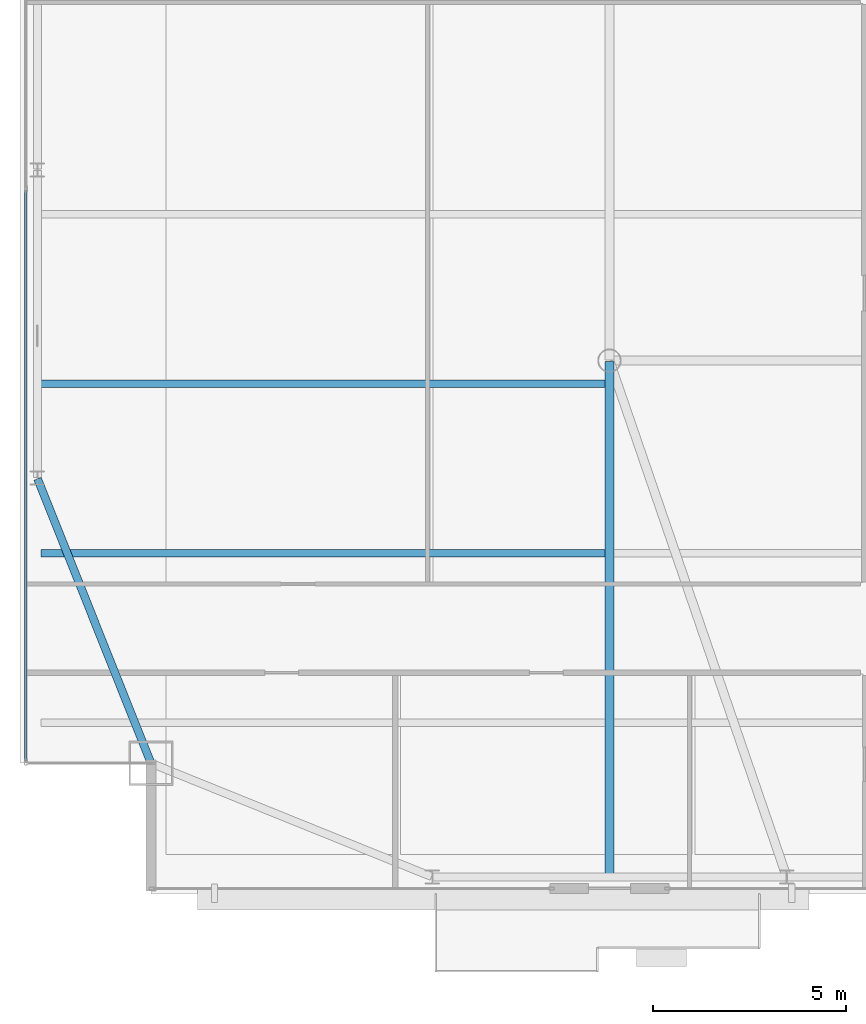
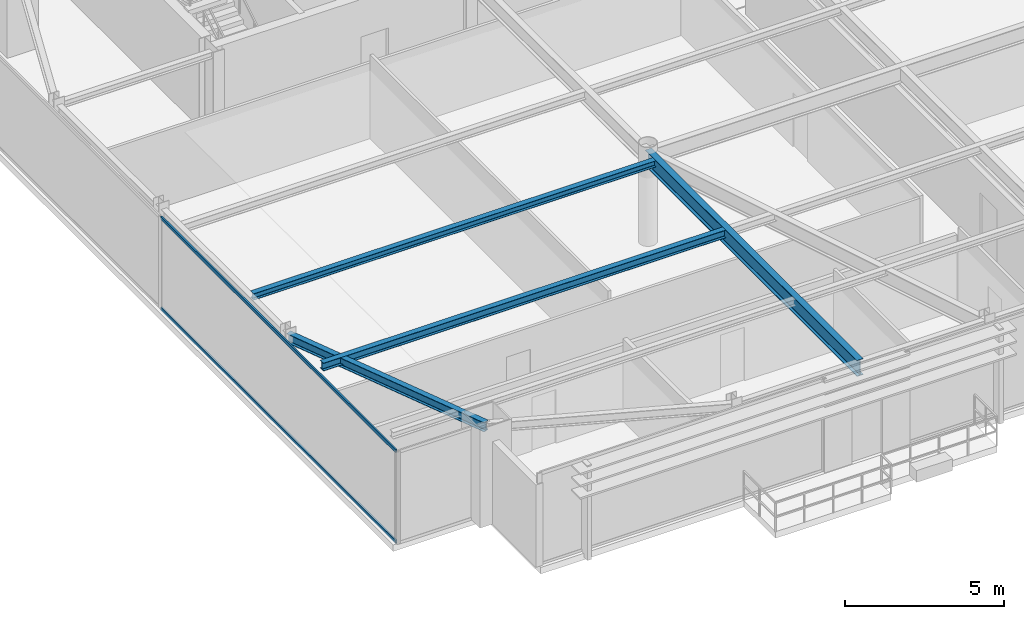
# One storey, part 7 of 30: 4 beams, 2 members, 1 element without a shape of its own.
"""IFC4 building model written with IfcOpenShell, lengths in metres."""

import ifcopenshell
import ifcopenshell.guid

model = None  # the IFC model being written
_history = None  # IfcOwnerHistory: only IFC2X3 demands one
_inside = {}  # id of a spatial element -> (the spatial element, [elements in it])
_under = {}  # id of a project, library or spatial element -> (it, [spatial elements below it])
_declared = {}  # id of a project -> (the project, [libraries it declares])
_typed = {}  # id of a type object -> (the type object, [elements of that type])
_made_of = {}  # id of a material, layer set ... -> (it, [elements and type objects made of it])


def new_model(schema):
    """Start an empty IFC model of exactly this schema.

    Asked for "IFC4X3", IfcOpenShell would pick the latest addendum, in which some entities
    have other attributes; the version numbers below select the first issue.
    IFC2X3 requires an IfcOwnerHistory on every rooted entity: one is made here for all.
    """
    global model, _history
    if schema == "IFC4X3":
        model = ifcopenshell.file(schema_version=(4, 3, 0, 0))
    else:
        model = ifcopenshell.file(schema=schema)
    _inside.clear()
    _under.clear()
    _declared.clear()
    _typed.clear()
    _made_of.clear()
    _history = None
    if model.schema == "IFC2X3":
        org = make("IfcOrganization", Name="unknown")
        user = make(
            "IfcPersonAndOrganization",
            ThePerson=make("IfcPerson", FamilyName="unknown"),
            TheOrganization=org,
        )
        app = make(
            "IfcApplication",
            ApplicationDeveloper=org,
            Version="unknown",
            ApplicationFullName="unknown",
            ApplicationIdentifier="unknown",
        )
        _history = make(
            "IfcOwnerHistory",
            OwningUser=user,
            OwningApplication=app,
            ChangeAction="ADDED",
            CreationDate=0,
        )
    return model


def make(cls, **values):
    """One entity of the class cls with the attributes given. An attribute that is None is left unset."""
    return model.create_entity(
        cls, **{name: value for name, value in values.items() if value is not None}
    )


def rooted(cls, **values):
    """An entity with a GlobalId (a new one), such as an element, a storey or a relation."""
    return make(cls, GlobalId=ifcopenshell.guid.new(), OwnerHistory=_history, **values)


def si_unit(unit_type, name, prefix=None):
    """IfcSIUnit, for example si_unit("LENGTHUNIT", "METRE", prefix="MILLI")."""
    return make("IfcSIUnit", UnitType=unit_type, Prefix=prefix, Name=name)


def assignment(units):
    """IfcUnitAssignment: the units of a project."""
    return None if units is None else make("IfcUnitAssignment", Units=units)


def point(xyz):
    """IfcCartesianPoint."""
    return None if xyz is None else make("IfcCartesianPoint", Coordinates=xyz)


def direction(xyz):
    """IfcDirection."""
    return None if xyz is None else make("IfcDirection", DirectionRatios=xyz)


def frame(location, z_axis=None, x_axis=None):
    """IfcAxis2Placement3D, a coordinate frame: its origin and axes. An axis left out is left unset."""
    return make(
        "IfcAxis2Placement3D",
        Location=point(location),
        Axis=direction(z_axis),
        RefDirection=direction(x_axis),
    )


def frame_2d(location, x_axis=None):
    """IfcAxis2Placement2D, a coordinate frame in the plane: its origin and x axis."""
    return make(
        "IfcAxis2Placement2D", Location=point(location), RefDirection=direction(x_axis)
    )


def origin():
    """The frame at (0, 0, 0) with its axes left unset."""
    return frame((0.0, 0.0, 0.0))


def origin_2d():
    """The frame at (0, 0) in the plane with its x axis left unset."""
    return frame_2d((0.0, 0.0))


def place(relative_to, where):
    """IfcLocalPlacement: puts the frame where relative to a parent placement (None: the world)."""
    return make(
        "IfcLocalPlacement", PlacementRelTo=relative_to, RelativePlacement=where
    )


def context(
    kind, dimensions, precision=None, world=None, true_north=None, identifier=None
):
    """IfcGeometricRepresentationContext, for example the 3D "Model" context."""
    return make(
        "IfcGeometricRepresentationContext",
        ContextIdentifier=identifier,
        ContextType=kind,
        CoordinateSpaceDimension=dimensions,
        Precision=precision,
        WorldCoordinateSystem=world,
        TrueNorth=true_north,
    )


def subcontext(parent, identifier, kind, view, scale=None):
    """IfcGeometricRepresentationSubContext, for example "Body" below "Model"."""
    return make(
        "IfcGeometricRepresentationSubContext",
        ContextIdentifier=identifier,
        ContextType=kind,
        ParentContext=parent,
        TargetScale=scale,
        TargetView=view,
    )


def project(units=None, contexts=None):
    """IfcProject with its units and contexts."""
    return rooted(
        "IfcProject",
        Name="project",
        RepresentationContexts=contexts,
        UnitsInContext=assignment(units),
    )


def spatial(cls, under=None, at=None, **own):
    """A site, building, storey or space (cls), placed at a placement, below another one or the project."""
    s = rooted(cls, ObjectPlacement=at, **own)
    if under is not None:
        _under.setdefault(under.id(), (under, []))[1].append(s)
    return s


def profile(cls, at=None, kind="AREA", **sizes):
    """A parametric profile (cls). Its sizes go by their IFC names, for example OverallWidth=200.0."""
    return make(cls, ProfileType=kind, Position=at, **sizes)


def hollow_rectangle(**sizes):
    """IfcRectangleHollowProfileDef."""
    return profile("IfcRectangleHollowProfileDef", **sizes)


def i_section(**sizes):
    """IfcIShapeProfileDef."""
    return profile("IfcIShapeProfileDef", **sizes)


def extrude(swept, where, along, depth):
    """IfcExtrudedAreaSolid: the profile swept, set in the frame where, extruded along a direction by depth."""
    return make(
        "IfcExtrudedAreaSolid",
        SweptArea=swept,
        Position=where,
        ExtrudedDirection=direction(along),
        Depth=depth,
    )


def shape(context_of_items, identifier, shape_type, items):
    """IfcShapeRepresentation: the items that make up one representation, for example the "Body"."""
    return make(
        "IfcShapeRepresentation",
        ContextOfItems=context_of_items,
        RepresentationIdentifier=identifier,
        RepresentationType=shape_type,
        Items=items,
    )


def source(mapping_origin, context_of_items, identifier, shape_type, items):
    """IfcRepresentationMap: a shape defined once, which mapped items show again and again."""
    return make(
        "IfcRepresentationMap",
        MappingOrigin=mapping_origin,
        MappedRepresentation=shape(context_of_items, identifier, shape_type, items),
    )


def transform(
    local_origin,
    x_axis=None,
    y_axis=None,
    z_axis=None,
    scale=None,
    scale2=None,
    scale3=None,
    uniform=True,
):
    """IfcCartesianTransformationOperator3D, or its non-uniform kind. x_axis, y_axis, z_axis: its Axis1, 2, 3."""
    if uniform:
        return make(
            "IfcCartesianTransformationOperator3D",
            Axis1=direction(x_axis),
            Axis2=direction(y_axis),
            LocalOrigin=point(local_origin),
            Scale=scale,
            Axis3=direction(z_axis),
        )
    return make(
        "IfcCartesianTransformationOperator3DnonUniform",
        Axis1=direction(x_axis),
        Axis2=direction(y_axis),
        LocalOrigin=point(local_origin),
        Scale=scale,
        Axis3=direction(z_axis),
        Scale2=scale2,
        Scale3=scale3,
    )


def mapped(mapping_source, mapping_target):
    """IfcMappedItem: shows the shape of a source again, moved by a transform."""
    return make(
        "IfcMappedItem", MappingSource=mapping_source, MappingTarget=mapping_target
    )


def material(Name=None, Category=None):
    """IfcMaterial."""
    return make("IfcMaterial", Name=Name, Category=Category)


def layer(
    of_material, thickness, ventilated=None, Name=None, Category=None, Priority=None
):
    """IfcMaterialLayer: one layer of a wall or slab, of a material (None: an air gap)."""
    return make(
        "IfcMaterialLayer",
        Material=of_material,
        LayerThickness=thickness,
        IsVentilated=ventilated,
        Name=Name,
        Category=Category,
        Priority=Priority,
    )


def layer_set(layers, Name=None):
    """IfcMaterialLayerSet."""
    return make("IfcMaterialLayerSet", MaterialLayers=layers, LayerSetName=Name)


def material_profile(
    of_material, cross_section, Name=None, Category=None, Priority=None
):
    """IfcMaterialProfile: a cross section and its material."""
    return make(
        "IfcMaterialProfile",
        Name=Name,
        Material=of_material,
        Profile=cross_section,
        Priority=Priority,
        Category=Category,
    )


def profile_set(profiles, Name=None, composite=None):
    """IfcMaterialProfileSet."""
    return make(
        "IfcMaterialProfileSet",
        Name=Name,
        MaterialProfiles=profiles,
        CompositeProfile=composite,
    )


def made_of(thing, what):
    """Note that an element or type object is made of a material, layer set ...; save() writes the relation."""
    if what is not None:
        _made_of.setdefault(what.id(), (what, []))[1].append(thing)
    return thing


def type_object(cls, material=None, **own):
    """A type object (cls), such as IfcWallType, which elements share."""
    return made_of(rooted(cls, **own), material)


def type_shapes(of_type, sources):
    """Give a type object the sources (RepresentationMaps) that its elements show as mapped items."""
    of_type.RepresentationMaps = sources


def element(
    cls,
    number,
    at=None,
    inside=None,
    cuts=None,
    type_object=None,
    material=None,
    context=None,
    identifier="Body",
    shape_type=None,
    held_by="IfcProductDefinitionShape",
    body=None,
    shapes=None,
    **own,
):
    """One element of the class cls, such as IfcWall. Its Tag is "e" and its number.

    at: its placement. inside: the storey or other place that contains it. cuts: it is an
    opening in that element (IfcRelVoidsElement). A single representation is given by context,
    identifier, shape_type and body (its items); several are given by shapes. held_by: the class
    of the entity that holds the representations. save() writes the other relations.
    """
    e = rooted(cls, Tag="e%d" % number, ObjectPlacement=at, **own)
    if body is not None:
        shapes = [shape(context, identifier, shape_type, body)]
    if shapes is not None:
        e.Representation = make(held_by, Representations=shapes)
    if inside is not None:
        _inside.setdefault(inside.id(), (inside, []))[1].append(e)
    if cuts is not None:
        rooted(
            "IfcRelVoidsElement", RelatingBuildingElement=cuts, RelatedOpeningElement=e
        )
    if type_object is not None:
        _typed.setdefault(type_object.id(), (type_object, []))[1].append(e)
    return made_of(e, material)


def aggregate(whole, parts):
    """IfcRelAggregates: a whole, such as a stair, and the parts it consists of."""
    return rooted("IfcRelAggregates", RelatingObject=whole, RelatedObjects=parts)


def save(model, path):
    """Write the relations noted so far, then the file.

    IfcRelAggregates (storeys below a building ...), IfcRelContainedInSpatialStructure (elements
    in a storey), IfcRelDefinesByType, IfcRelAssociatesMaterial and IfcRelDeclares: one each for
    every whole, place, type object, material and project.
    """
    for whole, parts in _under.values():
        aggregate(whole, parts)
    for where, things in _inside.values():
        rooted(
            "IfcRelContainedInSpatialStructure",
            RelatedElements=things,
            RelatingStructure=where,
        )
    for kind, things in _typed.values():
        rooted("IfcRelDefinesByType", RelatedObjects=things, RelatingType=kind)
    for what, things in _made_of.values():
        rooted("IfcRelAssociatesMaterial", RelatedObjects=things, RelatingMaterial=what)
    for by, libraries in _declared.values():
        rooted("IfcRelDeclares", RelatingContext=by, RelatedDefinitions=libraries)
    model.write(path)


model = new_model("IFC4")

# Units and contexts
model_context = context("Model", 3, precision=1e-05, world=origin(), true_north=direction((0.0, 1.0)))
body_context = subcontext(model_context, "Body", "Model", "MODEL_VIEW")
ifc_project = project(units=[si_unit("LENGTHUNIT", "METRE"), si_unit("AREAUNIT", "SQUARE_METRE"), si_unit("VOLUMEUNIT", "CUBIC_METRE"), si_unit("PLANEANGLEUNIT", "RADIAN"), si_unit("MASSUNIT", "GRAM", prefix="KILO")], contexts=[model_context])

# Site, building, storey
site_placement = place(None, origin())
site = spatial("IfcSite", under=ifc_project, at=site_placement, CompositionType="ELEMENT")
building_placement = place(site_placement, origin())
building = spatial("IfcBuilding", under=site, at=building_placement, Name="Varnel Quay Broadcast Tower", CompositionType="ELEMENT")
storey_placement = place(building_placement, frame((0.0, 0.0, 222.60009765625)))
storey = spatial("IfcBuildingStorey", under=building, at=storey_placement, Name="L55", CompositionType="ELEMENT", Elevation=222.60009765625)

# Beams
ifc_material_1 = material(Name="Structural Steel CSA G40.21 350W", Category="steel")
ifc_material_profile_1 = material_profile(ifc_material_1, i_section(OverallWidth=0.205078125, OverallDepth=0.35400390625, WebThickness=0.009521484375, FlangeThickness=0.016845703125, FilletRadius=0.012939453125, at=origin_2d()), Name="W360X79")
ifc_profile_set_1 = profile_set([ifc_material_profile_1], Name="Structural Steel CSA G40.21 350W")
beam_type_1 = type_object("IfcBeamType", Name="Beam_W360X79", PredefinedType="SPANDREL", material=ifc_profile_set_1)
shared_shape_1 = source(origin(), body_context, "Body", "SweptSolid", [
    extrude(i_section(OverallWidth=0.205078125, OverallDepth=0.35400390625, WebThickness=0.009521484375, FlangeThickness=0.016845703125, FilletRadius=0.012939453125, at=origin_2d()), origin(), (0.0, 0.0, 1.0), 7.92626953125),
])
type_shapes(beam_type_1, [shared_shape_1])
beam_1_placement = place(storey_placement, frame((12.892578125, 13.61865234375, 3.372802734375), z_axis=(-0.370296431883, 0.928913641053, 0.0), x_axis=(-0.928913641053, -0.370296431883, 0.0)))
element("IfcBeam", 1, at=beam_1_placement, inside=storey, type_object=beam_type_1, Name="L55 West Spandrel MC-SW-TC-W1", PredefinedType="SPANDREL", context=body_context, shape_type="MappedRepresentation", body=[
    mapped(shared_shape_1, transform((0.0, 0.0, 0.0), x_axis=(1.0, 0.0, 0.0), y_axis=(0.0, 1.0, 0.0), z_axis=(0.0, 0.0, 1.0), scale=1.0)),
])
ifc_material_profile_2 = material_profile(ifc_material_1, i_section(OverallWidth=0.22998046875, OverallDepth=0.616943359375, WebThickness=0.01318359375, FlangeThickness=0.022216796875, FilletRadius=0.01611328125, at=origin_2d()), Name="W610X140")
ifc_profile_set_2 = profile_set([ifc_material_profile_2], Name="Structural Steel CSA G40.21 350W")
beam_type_2 = type_object("IfcBeamType", Name="Girder_W610X140", PredefinedType="BEAM", material=ifc_profile_set_2)
shared_shape_2 = source(origin(), body_context, "Body", "SweptSolid", [
    extrude(i_section(OverallWidth=0.22998046875, OverallDepth=0.616943359375, WebThickness=0.01318359375, FlangeThickness=0.022216796875, FilletRadius=0.01611328125, at=origin_2d()), origin(), (0.0, 0.0, 1.0), 13.360107421875),
])
type_shapes(beam_type_2, [shared_shape_2])
beam_2_placement = place(storey_placement, frame((24.800048828125, 10.669921875, 3.241455078125), z_axis=(0.0, 1.0, 0.0), x_axis=(-1.0, 0.0, 0.0)))
element("IfcBeam", 2, at=beam_2_placement, inside=storey, type_object=beam_type_2, Name="L55 N-S Joist Header IC-01S", PredefinedType="BEAM", context=body_context, shape_type="MappedRepresentation", body=[
    mapped(shared_shape_2, transform((0.0, 0.0, 0.0), x_axis=(1.0, 0.0, 0.0), y_axis=(0.0, 1.0, 0.0), z_axis=(0.0, 0.0, 1.0), scale=1.0)),
])
ifc_material_profile_3 = material_profile(ifc_material_1, i_section(OverallWidth=0.201904296875, OverallDepth=0.2470703125, WebThickness=0.00732421875, FlangeThickness=0.010986328125, FilletRadius=0.010986328125, at=origin_2d()), Name="W250X49")
ifc_profile_set_3 = profile_set([ifc_material_profile_3], Name="Structural Steel CSA G40.21 350W")
beam_type_3 = type_object("IfcBeamType", Name="Beam_W250X49", PredefinedType="JOIST", material=ifc_profile_set_3)
shared_shape_3 = source(origin(), body_context, "Body", "SweptSolid", [
    extrude(i_section(OverallWidth=0.201904296875, OverallDepth=0.2470703125, WebThickness=0.00732421875, FlangeThickness=0.010986328125, FilletRadius=0.010986328125, at=origin_2d()), origin(), (0.0, 0.0, 1.0), 14.642333984375),
])
type_shapes(beam_type_3, [shared_shape_3])
beam_3_placement = place(storey_placement, frame((10.047607421875, 23.449951171875, 3.426513671875), z_axis=(1.0, 0.0, 0.0), x_axis=(0.0, 1.0, 0.0)))
element("IfcBeam", 3, at=beam_3_placement, inside=storey, type_object=beam_type_3, Name="L55 West Floor Joist 3", PredefinedType="JOIST", context=body_context, shape_type="MappedRepresentation", body=[
    mapped(shared_shape_3, transform((0.0, 0.0, 0.0), x_axis=(1.0, 0.0, 0.0), y_axis=(0.0, 1.0, 0.0), z_axis=(0.0, 0.0, 1.0), scale=1.0)),
])
ifc_material_profile_4 = material_profile(ifc_material_1, i_section(OverallWidth=0.202880859375, OverallDepth=0.302978515625, WebThickness=0.007568359375, FlangeThickness=0.01318359375, FilletRadius=0.011962890625, at=origin_2d()), Name="W310X60")
ifc_profile_set_4 = profile_set([ifc_material_profile_4], Name="Structural Steel CSA G40.21 350W")
beam_type_4 = type_object("IfcBeamType", Name="Beam_W310X60", PredefinedType="JOIST", material=ifc_profile_set_4)
shared_shape_4 = source(origin(), body_context, "Body", "SweptSolid", [
    extrude(i_section(OverallWidth=0.202880859375, OverallDepth=0.302978515625, WebThickness=0.007568359375, FlangeThickness=0.01318359375, FilletRadius=0.011962890625, at=origin_2d()), origin(), (0.0, 0.0, 1.0), 14.642333984375),
])
type_shapes(beam_type_4, [shared_shape_4])
beam_4_placement = place(storey_placement, frame((10.047607421875, 19.050048828125, 3.3984375), z_axis=(1.0, 0.0, 0.0), x_axis=(0.0, 1.0, 0.0)))
element("IfcBeam", 4, at=beam_4_placement, inside=storey, type_object=beam_type_4, Name="L55 West Floor Joist 2", PredefinedType="JOIST", context=body_context, shape_type="MappedRepresentation", body=[
    mapped(shared_shape_4, transform((0.0, 0.0, 0.0), x_axis=(1.0, 0.0, 0.0), y_axis=(0.0, 1.0, 0.0), z_axis=(0.0, 0.0, 1.0), scale=1.0)),
])

# Curtain wall, members
ifc_material_2 = material(Name="Anodised Bronze Aluminium 6063-T6", Category="aluminium")
ifc_layer = layer(ifc_material_2, 0.18994140625, Name="Anodised Bronze Aluminium 6063-T6")
ifc_layer_set = layer_set([ifc_layer], Name="Anodised Bronze Aluminium 6063-T6")
curtain_wall_type = type_object("IfcCurtainWallType", Name="CW_UpperTower", PredefinedType="NOTDEFINED", material=ifc_layer_set)
curtain_wall_placement = place(storey_placement, origin())
curtain_wall = element("IfcCurtainWall", 5, at=curtain_wall_placement, inside=storey, type_object=curtain_wall_type, Name="L55 West Unitised Curtain Wall", PredefinedType="NOTDEFINED")
ifc_material_profile_5 = material_profile(ifc_material_2, hollow_rectangle(XDim=0.06005859375, YDim=0.125, WallThickness=0.0029296875, at=origin_2d()), Name="ALU60X125X3")
ifc_profile_set_5 = profile_set([ifc_material_profile_5], Name="Anodised Bronze Aluminium 6063-T6")
member_type = type_object("IfcMemberType", Name="Tran_CWS-03", PredefinedType="USERDEFINED", material=ifc_profile_set_5)
shared_shape_5 = source(origin(), body_context, "Body", "SweptSolid", [
    extrude(hollow_rectangle(XDim=0.06005859375, YDim=0.125, WallThickness=0.0029296875, at=origin_2d()), origin(), (0.0, 0.0, 1.0), 14.802490234375),
])
type_shapes(member_type, [shared_shape_5])
member_1_placement = place(storey_placement, frame((9.64990234375, 13.6650390625, 0.02978515625), z_axis=(0.0, 1.0, 0.0), x_axis=(-1.0, 0.0, 0.0)))
member_1 = element("IfcMember", 6, at=member_1_placement, type_object=member_type, Name="CWS-03 transom 1.1", ObjectType="TRANSOM", PredefinedType="USERDEFINED", context=body_context, shape_type="MappedRepresentation", body=[
    mapped(shared_shape_5, transform((0.0, 0.0, 0.0), x_axis=(1.0, 0.0, 0.0), y_axis=(0.0, 1.0, 0.0), z_axis=(0.0, 0.0, 1.0), scale=1.0)),
])
member_2_placement = place(storey_placement, frame((9.64990234375, 13.6650390625, 3.52001953125), z_axis=(0.0, 1.0, 0.0), x_axis=(-1.0, 0.0, 0.0)))
member_2 = element("IfcMember", 7, at=member_2_placement, type_object=member_type, Name="CWS-03 transom 1.2", ObjectType="TRANSOM", PredefinedType="USERDEFINED", context=body_context, shape_type="MappedRepresentation", body=[
    mapped(shared_shape_5, transform((0.0, 0.0, 0.0), x_axis=(1.0, 0.0, 0.0), y_axis=(0.0, 1.0, 0.0), z_axis=(0.0, 0.0, 1.0), scale=1.0)),
])
aggregate(curtain_wall, [member_1, member_2])

save(model, "model.ifc")
